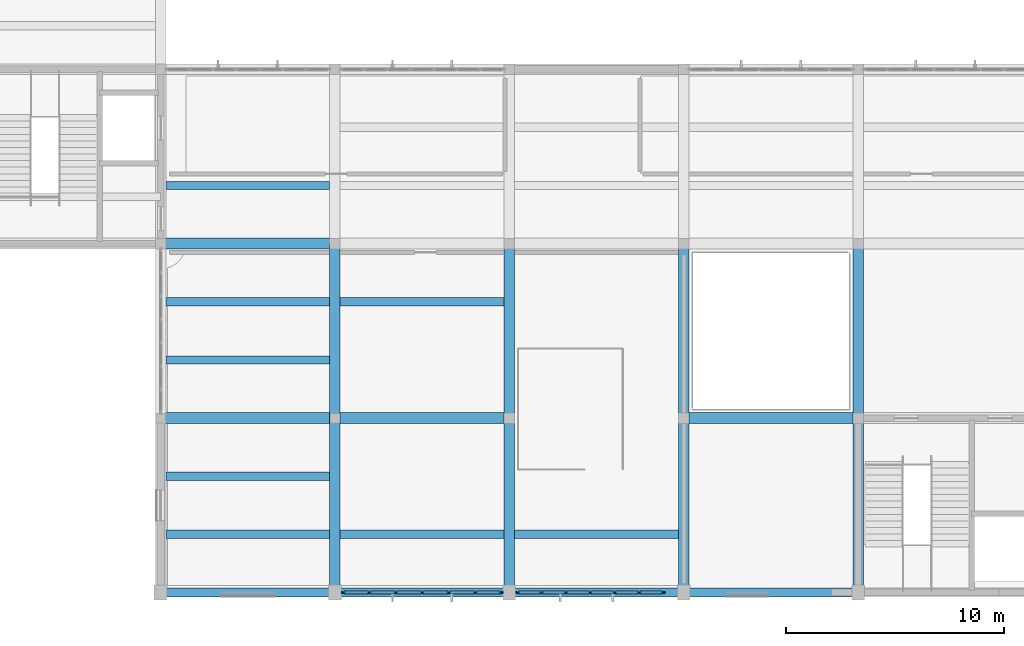
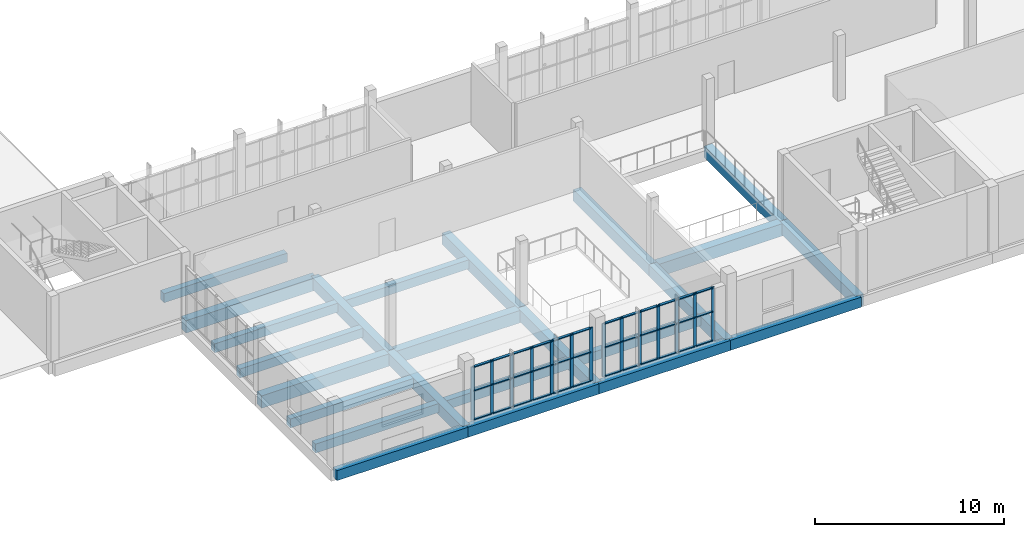
# One storey, part 15 of 70: 50 members, 24 beams, 2 elements without a shape of their own.
"""IFC4 building model written with IfcOpenShell, lengths in metres."""

from ifc_helpers import new_model, si_unit, direction, frame, origin, origin_2d, place, context, subcontext, project, spatial, rectangle, extrude, material, layer, layer_set, material_profile, profile_set, type_object, element, aggregate, save


model = new_model("IFC4")

# Units and contexts
model_context = context("Model", 3, precision=1e-05, world=origin(), true_north=direction((0.0, 1.0)))
body_context = subcontext(model_context, "Body", "Model", "MODEL_VIEW")
ifc_project = project(units=[si_unit("LENGTHUNIT", "METRE"), si_unit("AREAUNIT", "SQUARE_METRE"), si_unit("VOLUMEUNIT", "CUBIC_METRE"), si_unit("PLANEANGLEUNIT", "RADIAN"), si_unit("MASSUNIT", "GRAM", prefix="KILO")], contexts=[model_context])

# Site, building, storey
site_placement = place(None, origin())
site = spatial("IfcSite", under=ifc_project, at=site_placement, CompositionType="ELEMENT")
building_placement = place(site_placement, origin())
building = spatial("IfcBuilding", under=site, at=building_placement, Name="Solvane Community Centre", CompositionType="ELEMENT")
storey_placement = place(building_placement, frame((0.0, 0.0, 9.60009765625)))
storey = spatial("IfcBuildingStorey", under=building, at=storey_placement, Name="L02", CompositionType="ELEMENT", Elevation=9.60009765625)

# Curtain wall, members
ifc_material_1 = material(Name="Anodised bronze aluminium AW-6063 T6", Category="aluminium")
ifc_layer_1 = layer(ifc_material_1, 0.18994140625)
ifc_layer_set_1 = layer_set([ifc_layer_1], Name="Anodised bronze aluminium AW-6063 T6")
curtain_wall_type_1 = type_object("IfcCurtainWallType", Name="Boulevard Bronze Vision Curtain Wall [67x34dm]", PredefinedType="NOTDEFINED", material=ifc_layer_set_1)
curtain_wall_1_placement = place(storey_placement, origin())
curtain_wall_1 = element("IfcCurtainWall", 1, at=curtain_wall_1_placement, inside=storey, type_object=curtain_wall_type_1, Name="Curtain Wall CW-L02-911_60-189", PredefinedType="NOTDEFINED")
ifc_material_profile_1 = material_profile(ifc_material_1, rectangle(XDim=0.06005859375, YDim=0.18994140625, at=origin_2d()), Name="CW-M 60x190")
ifc_profile_set_1 = profile_set([ifc_material_profile_1], Name="Anodised bronze aluminium AW-6063 T6")
member_type_1 = type_object("IfcMemberType", Name="Boulevard Mullion 60x190", PredefinedType="MULLION", material=ifc_profile_set_1)
member_1_placement = place(storey_placement, frame((91.046875, 6.0, 0.0), z_axis=(0.0, 0.0, 1.0), x_axis=(0.0, -1.0, 0.0)))
member_1 = element("IfcMember", 2, at=member_1_placement, type_object=member_type_1, Name="CW02-67x34 mullion 1", PredefinedType="MULLION", context=body_context, shape_type="SweptSolid", body=[
    extrude(rectangle(XDim=0.06005859375, YDim=0.18994140625, at=origin_2d()), origin(), (0.0, 0.0, 1.0), 3.44482421875),
])
member_2_placement = place(storey_placement, frame((89.95654296875, 6.0, 0.0), z_axis=(0.0, 0.0, 1.0), x_axis=(0.0, -1.0, 0.0)))
member_2 = element("IfcMember", 3, at=member_2_placement, type_object=member_type_1, Name="CW02-67x34 mullion 2", PredefinedType="MULLION", context=body_context, shape_type="SweptSolid", body=[
    extrude(rectangle(XDim=0.06005859375, YDim=0.18994140625, at=origin_2d()), origin(), (0.0, 0.0, 1.0), 3.44482421875),
])
member_3_placement = place(storey_placement, frame((88.836181640625, 6.0, 0.0), z_axis=(0.0, 0.0, 1.0), x_axis=(0.0, -1.0, 0.0)))
member_3 = element("IfcMember", 4, at=member_3_placement, type_object=member_type_1, Name="CW02-67x34 mullion 3", PredefinedType="MULLION", context=body_context, shape_type="SweptSolid", body=[
    extrude(rectangle(XDim=0.06005859375, YDim=0.18994140625, at=origin_2d()), origin(), (0.0, 0.0, 1.0), 3.44482421875),
])
member_4_placement = place(storey_placement, frame((87.716064453125, 6.0, 0.0), z_axis=(0.0, 0.0, 1.0), x_axis=(0.0, -1.0, 0.0)))
member_4 = element("IfcMember", 5, at=member_4_placement, type_object=member_type_1, Name="CW02-67x34 mullion 4", PredefinedType="MULLION", context=body_context, shape_type="SweptSolid", body=[
    extrude(rectangle(XDim=0.06005859375, YDim=0.18994140625, at=origin_2d()), origin(), (0.0, 0.0, 1.0), 3.44482421875),
])
member_5_placement = place(storey_placement, frame((86.595703125, 6.0, 0.0), z_axis=(0.0, 0.0, 1.0), x_axis=(0.0, -1.0, 0.0)))
member_5 = element("IfcMember", 6, at=member_5_placement, type_object=member_type_1, Name="CW02-67x34 mullion 5", PredefinedType="MULLION", context=body_context, shape_type="SweptSolid", body=[
    extrude(rectangle(XDim=0.06005859375, YDim=0.18994140625, at=origin_2d()), origin(), (0.0, 0.0, 1.0), 3.44482421875),
])
member_6_placement = place(storey_placement, frame((85.475341796875, 6.0, 0.0), z_axis=(0.0, 0.0, 1.0), x_axis=(0.0, -1.0, 0.0)))
member_6 = element("IfcMember", 7, at=member_6_placement, type_object=member_type_1, Name="CW02-67x34 mullion 6", PredefinedType="MULLION", context=body_context, shape_type="SweptSolid", body=[
    extrude(rectangle(XDim=0.06005859375, YDim=0.18994140625, at=origin_2d()), origin(), (0.0, 0.0, 1.0), 3.44482421875),
])
member_7_placement = place(storey_placement, frame((84.385009765625, 6.0, 0.0), z_axis=(0.0, 0.0, 1.0), x_axis=(0.0, -1.0, 0.0)))
member_7 = element("IfcMember", 8, at=member_7_placement, type_object=member_type_1, Name="CW02-67x34 mullion 7", PredefinedType="MULLION", context=body_context, shape_type="SweptSolid", body=[
    extrude(rectangle(XDim=0.06005859375, YDim=0.18994140625, at=origin_2d()), origin(), (0.0, 0.0, 1.0), 3.44482421875),
])

ifc_layer_2 = layer(ifc_material_1, 0.18994140625)
ifc_layer_set_2 = layer_set([ifc_layer_2], Name="Anodised bronze aluminium AW-6063 T6")
curtain_wall_type_2 = type_object("IfcCurtainWallType", Name="Boulevard Bronze Vision Curtain Wall [73x34dm]", PredefinedType="NOTDEFINED", material=ifc_layer_set_2)
curtain_wall_2_placement = place(storey_placement, origin())
curtain_wall_2 = element("IfcCurtainWall", 9, at=curtain_wall_2_placement, inside=storey, type_object=curtain_wall_type_2, Name="Curtain Wall CW-L02-836_60-190", PredefinedType="NOTDEFINED")
member_8_placement = place(storey_placement, frame((83.614990234375, 6.0, 0.0), z_axis=(0.0, 0.0, 1.0), x_axis=(0.0, -1.0, 0.0)))
member_8 = element("IfcMember", 10, at=member_8_placement, type_object=member_type_1, Name="CW02-73x34 mullion 1", PredefinedType="MULLION", context=body_context, shape_type="SweptSolid", body=[
    extrude(rectangle(XDim=0.06005859375, YDim=0.18994140625, at=origin_2d()), origin(), (0.0, 0.0, 1.0), 3.44482421875),
])
member_9_placement = place(storey_placement, frame((82.429931640625, 6.0, 0.0), z_axis=(0.0, 0.0, 1.0), x_axis=(0.0, -1.0, 0.0)))
member_9 = element("IfcMember", 11, at=member_9_placement, type_object=member_type_1, Name="CW02-73x34 mullion 2", PredefinedType="MULLION", context=body_context, shape_type="SweptSolid", body=[
    extrude(rectangle(XDim=0.06005859375, YDim=0.18994140625, at=origin_2d()), origin(), (0.0, 0.0, 1.0), 3.44482421875),
])
member_10_placement = place(storey_placement, frame((81.215087890625, 6.0, 0.0), z_axis=(0.0, 0.0, 1.0), x_axis=(0.0, -1.0, 0.0)))
member_10 = element("IfcMember", 12, at=member_10_placement, type_object=member_type_1, Name="CW02-73x34 mullion 3", PredefinedType="MULLION", context=body_context, shape_type="SweptSolid", body=[
    extrude(rectangle(XDim=0.06005859375, YDim=0.18994140625, at=origin_2d()), origin(), (0.0, 0.0, 1.0), 3.44482421875),
])
member_11_placement = place(storey_placement, frame((80.0, 6.0, 0.0), z_axis=(0.0, 0.0, 1.0), x_axis=(0.0, -1.0, 0.0)))
member_11 = element("IfcMember", 13, at=member_11_placement, type_object=member_type_1, Name="CW02-73x34 mullion 4", PredefinedType="MULLION", context=body_context, shape_type="SweptSolid", body=[
    extrude(rectangle(XDim=0.06005859375, YDim=0.18994140625, at=origin_2d()), origin(), (0.0, 0.0, 1.0), 3.44482421875),
])
member_12_placement = place(storey_placement, frame((78.784912109375, 6.0, 0.0), z_axis=(0.0, 0.0, 1.0), x_axis=(0.0, -1.0, 0.0)))
member_12 = element("IfcMember", 14, at=member_12_placement, type_object=member_type_1, Name="CW02-73x34 mullion 5", PredefinedType="MULLION", context=body_context, shape_type="SweptSolid", body=[
    extrude(rectangle(XDim=0.06005859375, YDim=0.18994140625, at=origin_2d()), origin(), (0.0, 0.0, 1.0), 3.44482421875),
])
member_13_placement = place(storey_placement, frame((77.570068359375, 6.0, 0.0), z_axis=(0.0, 0.0, 1.0), x_axis=(0.0, -1.0, 0.0)))
member_13 = element("IfcMember", 15, at=member_13_placement, type_object=member_type_1, Name="CW02-73x34 mullion 6", PredefinedType="MULLION", context=body_context, shape_type="SweptSolid", body=[
    extrude(rectangle(XDim=0.06005859375, YDim=0.18994140625, at=origin_2d()), origin(), (0.0, 0.0, 1.0), 3.44482421875),
])
member_14_placement = place(storey_placement, frame((76.385009765625, 6.0, 0.0), z_axis=(0.0, 0.0, 1.0), x_axis=(0.0, -1.0, 0.0)))
member_14 = element("IfcMember", 16, at=member_14_placement, type_object=member_type_1, Name="CW02-73x34 mullion 7", PredefinedType="MULLION", context=body_context, shape_type="SweptSolid", body=[
    extrude(rectangle(XDim=0.06005859375, YDim=0.18994140625, at=origin_2d()), origin(), (0.0, 0.0, 1.0), 3.44482421875),
])

# Member
ifc_material_profile_2 = material_profile(ifc_material_1, rectangle(XDim=0.14990234375, YDim=0.06005859375, at=origin_2d()), Name="CW-T 60x150")
ifc_profile_set_2 = profile_set([ifc_material_profile_2], Name="Anodised bronze aluminium AW-6063 T6")
member_type_2 = type_object("IfcMemberType", Name="Boulevard Transom 60x150", PredefinedType="USERDEFINED", material=ifc_profile_set_2)
member_15_placement = place(storey_placement, frame((91.016845703125, 6.0, 0.02978515625), z_axis=(-1.0, 0.0, 0.0), x_axis=(0.0, -1.0, 0.0)))
member_15 = element("IfcMember", 17, at=member_15_placement, type_object=member_type_2, Name="CW02-67x34 transom 1.1", ObjectType="TRANSOM", PredefinedType="USERDEFINED", context=body_context, shape_type="SweptSolid", body=[
    extrude(rectangle(XDim=0.14990234375, YDim=0.06005859375, at=origin_2d()), origin(), (0.0, 0.0, 1.0), 1.0302734375),
])

member_16_placement = place(storey_placement, frame((91.016845703125, 6.0, 1.89501953125), z_axis=(-1.0, 0.0, 0.0), x_axis=(0.0, -1.0, 0.0)))
member_16 = element("IfcMember", 18, at=member_16_placement, type_object=member_type_2, Name="CW02-67x34 transom 1.2", ObjectType="TRANSOM", PredefinedType="USERDEFINED", context=body_context, shape_type="SweptSolid", body=[
    extrude(rectangle(XDim=0.14990234375, YDim=0.06005859375, at=origin_2d()), origin(), (0.0, 0.0, 1.0), 1.0302734375),
])

member_17_placement = place(storey_placement, frame((91.016845703125, 6.0, 3.414794921875), z_axis=(-1.0, 0.0, 0.0), x_axis=(0.0, -1.0, 0.0)))
member_17 = element("IfcMember", 19, at=member_17_placement, type_object=member_type_2, Name="CW02-67x34 transom 1.3", ObjectType="TRANSOM", PredefinedType="USERDEFINED", context=body_context, shape_type="SweptSolid", body=[
    extrude(rectangle(XDim=0.14990234375, YDim=0.06005859375, at=origin_2d()), origin(), (0.0, 0.0, 1.0), 1.0302734375),
])

member_18_placement = place(storey_placement, frame((89.926513671875, 6.0, 0.02978515625), z_axis=(-1.0, 0.0, 0.0), x_axis=(0.0, -1.0, 0.0)))
member_18 = element("IfcMember", 20, at=member_18_placement, type_object=member_type_2, Name="CW02-67x34 transom 2.1", ObjectType="TRANSOM", PredefinedType="USERDEFINED", context=body_context, shape_type="SweptSolid", body=[
    extrude(rectangle(XDim=0.14990234375, YDim=0.06005859375, at=origin_2d()), origin(), (0.0, 0.0, 1.0), 1.060302734375),
])

member_19_placement = place(storey_placement, frame((89.926513671875, 6.0, 1.89501953125), z_axis=(-1.0, 0.0, 0.0), x_axis=(0.0, -1.0, 0.0)))
member_19 = element("IfcMember", 21, at=member_19_placement, type_object=member_type_2, Name="CW02-67x34 transom 2.2", ObjectType="TRANSOM", PredefinedType="USERDEFINED", context=body_context, shape_type="SweptSolid", body=[
    extrude(rectangle(XDim=0.14990234375, YDim=0.06005859375, at=origin_2d()), origin(), (0.0, 0.0, 1.0), 1.060302734375),
])

member_20_placement = place(storey_placement, frame((89.926513671875, 6.0, 3.414794921875), z_axis=(-1.0, 0.0, 0.0), x_axis=(0.0, -1.0, 0.0)))
member_20 = element("IfcMember", 22, at=member_20_placement, type_object=member_type_2, Name="CW02-67x34 transom 2.3", ObjectType="TRANSOM", PredefinedType="USERDEFINED", context=body_context, shape_type="SweptSolid", body=[
    extrude(rectangle(XDim=0.14990234375, YDim=0.06005859375, at=origin_2d()), origin(), (0.0, 0.0, 1.0), 1.060302734375),
])

member_21_placement = place(storey_placement, frame((88.80615234375, 6.0, 0.02978515625), z_axis=(-1.0, 0.0, 0.0), x_axis=(0.0, -1.0, 0.0)))
member_21 = element("IfcMember", 23, at=member_21_placement, type_object=member_type_2, Name="CW02-67x34 transom 3.1", ObjectType="TRANSOM", PredefinedType="USERDEFINED", context=body_context, shape_type="SweptSolid", body=[
    extrude(rectangle(XDim=0.14990234375, YDim=0.06005859375, at=origin_2d()), origin(), (0.0, 0.0, 1.0), 1.060302734375),
])

member_22_placement = place(storey_placement, frame((88.80615234375, 6.0, 1.89501953125), z_axis=(-1.0, 0.0, 0.0), x_axis=(0.0, -1.0, 0.0)))
member_22 = element("IfcMember", 24, at=member_22_placement, type_object=member_type_2, Name="CW02-67x34 transom 3.2", ObjectType="TRANSOM", PredefinedType="USERDEFINED", context=body_context, shape_type="SweptSolid", body=[
    extrude(rectangle(XDim=0.14990234375, YDim=0.06005859375, at=origin_2d()), origin(), (0.0, 0.0, 1.0), 1.060302734375),
])

member_23_placement = place(storey_placement, frame((88.80615234375, 6.0, 3.414794921875), z_axis=(-1.0, 0.0, 0.0), x_axis=(0.0, -1.0, 0.0)))
member_23 = element("IfcMember", 25, at=member_23_placement, type_object=member_type_2, Name="CW02-67x34 transom 3.3", ObjectType="TRANSOM", PredefinedType="USERDEFINED", context=body_context, shape_type="SweptSolid", body=[
    extrude(rectangle(XDim=0.14990234375, YDim=0.06005859375, at=origin_2d()), origin(), (0.0, 0.0, 1.0), 1.060302734375),
])

member_24_placement = place(storey_placement, frame((87.68603515625, 6.0, 0.02978515625), z_axis=(-1.0, 0.0, 0.0), x_axis=(0.0, -1.0, 0.0)))
member_24 = element("IfcMember", 26, at=member_24_placement, type_object=member_type_2, Name="CW02-67x34 transom 4.1", ObjectType="TRANSOM", PredefinedType="USERDEFINED", context=body_context, shape_type="SweptSolid", body=[
    extrude(rectangle(XDim=0.14990234375, YDim=0.06005859375, at=origin_2d()), origin(), (0.0, 0.0, 1.0), 1.060302734375),
])

member_25_placement = place(storey_placement, frame((87.68603515625, 6.0, 1.89501953125), z_axis=(-1.0, 0.0, 0.0), x_axis=(0.0, -1.0, 0.0)))
member_25 = element("IfcMember", 27, at=member_25_placement, type_object=member_type_2, Name="CW02-67x34 transom 4.2", ObjectType="TRANSOM", PredefinedType="USERDEFINED", context=body_context, shape_type="SweptSolid", body=[
    extrude(rectangle(XDim=0.14990234375, YDim=0.06005859375, at=origin_2d()), origin(), (0.0, 0.0, 1.0), 1.060302734375),
])

member_26_placement = place(storey_placement, frame((87.68603515625, 6.0, 3.414794921875), z_axis=(-1.0, 0.0, 0.0), x_axis=(0.0, -1.0, 0.0)))
member_26 = element("IfcMember", 28, at=member_26_placement, type_object=member_type_2, Name="CW02-67x34 transom 4.3", ObjectType="TRANSOM", PredefinedType="USERDEFINED", context=body_context, shape_type="SweptSolid", body=[
    extrude(rectangle(XDim=0.14990234375, YDim=0.06005859375, at=origin_2d()), origin(), (0.0, 0.0, 1.0), 1.060302734375),
])

member_27_placement = place(storey_placement, frame((86.565673828125, 6.0, 0.02978515625), z_axis=(-1.0, 0.0, 0.0), x_axis=(0.0, -1.0, 0.0)))
member_27 = element("IfcMember", 29, at=member_27_placement, type_object=member_type_2, Name="CW02-67x34 transom 5.1", ObjectType="TRANSOM", PredefinedType="USERDEFINED", context=body_context, shape_type="SweptSolid", body=[
    extrude(rectangle(XDim=0.14990234375, YDim=0.06005859375, at=origin_2d()), origin(), (0.0, 0.0, 1.0), 1.060302734375),
])

member_28_placement = place(storey_placement, frame((86.565673828125, 6.0, 1.89501953125), z_axis=(-1.0, 0.0, 0.0), x_axis=(0.0, -1.0, 0.0)))
member_28 = element("IfcMember", 30, at=member_28_placement, type_object=member_type_2, Name="CW02-67x34 transom 5.2", ObjectType="TRANSOM", PredefinedType="USERDEFINED", context=body_context, shape_type="SweptSolid", body=[
    extrude(rectangle(XDim=0.14990234375, YDim=0.06005859375, at=origin_2d()), origin(), (0.0, 0.0, 1.0), 1.060302734375),
])

member_29_placement = place(storey_placement, frame((86.565673828125, 6.0, 3.414794921875), z_axis=(-1.0, 0.0, 0.0), x_axis=(0.0, -1.0, 0.0)))
member_29 = element("IfcMember", 31, at=member_29_placement, type_object=member_type_2, Name="CW02-67x34 transom 5.3", ObjectType="TRANSOM", PredefinedType="USERDEFINED", context=body_context, shape_type="SweptSolid", body=[
    extrude(rectangle(XDim=0.14990234375, YDim=0.06005859375, at=origin_2d()), origin(), (0.0, 0.0, 1.0), 1.060302734375),
])

member_30_placement = place(storey_placement, frame((85.4453125, 6.0, 0.02978515625), z_axis=(-1.0, 0.0, 0.0), x_axis=(0.0, -1.0, 0.0)))
member_30 = element("IfcMember", 32, at=member_30_placement, type_object=member_type_2, Name="CW02-67x34 transom 6.1", ObjectType="TRANSOM", PredefinedType="USERDEFINED", context=body_context, shape_type="SweptSolid", body=[
    extrude(rectangle(XDim=0.14990234375, YDim=0.06005859375, at=origin_2d()), origin(), (0.0, 0.0, 1.0), 1.0302734375),
])

member_31_placement = place(storey_placement, frame((85.4453125, 6.0, 1.89501953125), z_axis=(-1.0, 0.0, 0.0), x_axis=(0.0, -1.0, 0.0)))
member_31 = element("IfcMember", 33, at=member_31_placement, type_object=member_type_2, Name="CW02-67x34 transom 6.2", ObjectType="TRANSOM", PredefinedType="USERDEFINED", context=body_context, shape_type="SweptSolid", body=[
    extrude(rectangle(XDim=0.14990234375, YDim=0.06005859375, at=origin_2d()), origin(), (0.0, 0.0, 1.0), 1.0302734375),
])

member_32_placement = place(storey_placement, frame((85.4453125, 6.0, 3.414794921875), z_axis=(-1.0, 0.0, 0.0), x_axis=(0.0, -1.0, 0.0)))
member_32 = element("IfcMember", 34, at=member_32_placement, type_object=member_type_2, Name="CW02-67x34 transom 6.3", ObjectType="TRANSOM", PredefinedType="USERDEFINED", context=body_context, shape_type="SweptSolid", body=[
    extrude(rectangle(XDim=0.14990234375, YDim=0.06005859375, at=origin_2d()), origin(), (0.0, 0.0, 1.0), 1.0302734375),
])

aggregate(curtain_wall_1, [member_1, member_2, member_3, member_4, member_5, member_6, member_7, member_15, member_16, member_17, member_18, member_19, member_20, member_21, member_22, member_23, member_24, member_25, member_26, member_27, member_28, member_29, member_30, member_31, member_32])

member_33_placement = place(storey_placement, frame((83.5849609375, 6.0, 0.02978515625), z_axis=(-1.0, 0.0, 0.0), x_axis=(0.0, -1.0, 0.0)))
member_33 = element("IfcMember", 35, at=member_33_placement, type_object=member_type_2, Name="CW02-73x34 transom 1.1", ObjectType="TRANSOM", PredefinedType="USERDEFINED", context=body_context, shape_type="SweptSolid", body=[
    extrude(rectangle(XDim=0.14990234375, YDim=0.06005859375, at=origin_2d()), origin(), (0.0, 0.0, 1.0), 1.125),
])

member_34_placement = place(storey_placement, frame((83.5849609375, 6.0, 1.89501953125), z_axis=(-1.0, 0.0, 0.0), x_axis=(0.0, -1.0, 0.0)))
member_34 = element("IfcMember", 36, at=member_34_placement, type_object=member_type_2, Name="CW02-73x34 transom 1.2", ObjectType="TRANSOM", PredefinedType="USERDEFINED", context=body_context, shape_type="SweptSolid", body=[
    extrude(rectangle(XDim=0.14990234375, YDim=0.06005859375, at=origin_2d()), origin(), (0.0, 0.0, 1.0), 1.125),
])

member_35_placement = place(storey_placement, frame((83.5849609375, 6.0, 3.414794921875), z_axis=(-1.0, 0.0, 0.0), x_axis=(0.0, -1.0, 0.0)))
member_35 = element("IfcMember", 37, at=member_35_placement, type_object=member_type_2, Name="CW02-73x34 transom 1.3", ObjectType="TRANSOM", PredefinedType="USERDEFINED", context=body_context, shape_type="SweptSolid", body=[
    extrude(rectangle(XDim=0.14990234375, YDim=0.06005859375, at=origin_2d()), origin(), (0.0, 0.0, 1.0), 1.125),
])

member_36_placement = place(storey_placement, frame((82.39990234375, 6.0, 0.02978515625), z_axis=(-1.0, 0.0, 0.0), x_axis=(0.0, -1.0, 0.0)))
member_36 = element("IfcMember", 38, at=member_36_placement, type_object=member_type_2, Name="CW02-73x34 transom 2.1", ObjectType="TRANSOM", PredefinedType="USERDEFINED", context=body_context, shape_type="SweptSolid", body=[
    extrude(rectangle(XDim=0.14990234375, YDim=0.06005859375, at=origin_2d()), origin(), (0.0, 0.0, 1.0), 1.15478515625),
])

member_37_placement = place(storey_placement, frame((82.39990234375, 6.0, 1.89501953125), z_axis=(-1.0, 0.0, 0.0), x_axis=(0.0, -1.0, 0.0)))
member_37 = element("IfcMember", 39, at=member_37_placement, type_object=member_type_2, Name="CW02-73x34 transom 2.2", ObjectType="TRANSOM", PredefinedType="USERDEFINED", context=body_context, shape_type="SweptSolid", body=[
    extrude(rectangle(XDim=0.14990234375, YDim=0.06005859375, at=origin_2d()), origin(), (0.0, 0.0, 1.0), 1.15478515625),
])

member_38_placement = place(storey_placement, frame((82.39990234375, 6.0, 3.414794921875), z_axis=(-1.0, 0.0, 0.0), x_axis=(0.0, -1.0, 0.0)))
member_38 = element("IfcMember", 40, at=member_38_placement, type_object=member_type_2, Name="CW02-73x34 transom 2.3", ObjectType="TRANSOM", PredefinedType="USERDEFINED", context=body_context, shape_type="SweptSolid", body=[
    extrude(rectangle(XDim=0.14990234375, YDim=0.06005859375, at=origin_2d()), origin(), (0.0, 0.0, 1.0), 1.15478515625),
])

member_39_placement = place(storey_placement, frame((81.18505859375, 6.0, 0.02978515625), z_axis=(-1.0, 0.0, 0.0), x_axis=(0.0, -1.0, 0.0)))
member_39 = element("IfcMember", 41, at=member_39_placement, type_object=member_type_2, Name="CW02-73x34 transom 3.1", ObjectType="TRANSOM", PredefinedType="USERDEFINED", context=body_context, shape_type="SweptSolid", body=[
    extrude(rectangle(XDim=0.14990234375, YDim=0.06005859375, at=origin_2d()), origin(), (0.0, 0.0, 1.0), 1.155029296875),
])

member_40_placement = place(storey_placement, frame((81.18505859375, 6.0, 1.89501953125), z_axis=(-1.0, 0.0, 0.0), x_axis=(0.0, -1.0, 0.0)))
member_40 = element("IfcMember", 42, at=member_40_placement, type_object=member_type_2, Name="CW02-73x34 transom 3.2", ObjectType="TRANSOM", PredefinedType="USERDEFINED", context=body_context, shape_type="SweptSolid", body=[
    extrude(rectangle(XDim=0.14990234375, YDim=0.06005859375, at=origin_2d()), origin(), (0.0, 0.0, 1.0), 1.155029296875),
])

member_41_placement = place(storey_placement, frame((81.18505859375, 6.0, 3.414794921875), z_axis=(-1.0, 0.0, 0.0), x_axis=(0.0, -1.0, 0.0)))
member_41 = element("IfcMember", 43, at=member_41_placement, type_object=member_type_2, Name="CW02-73x34 transom 3.3", ObjectType="TRANSOM", PredefinedType="USERDEFINED", context=body_context, shape_type="SweptSolid", body=[
    extrude(rectangle(XDim=0.14990234375, YDim=0.06005859375, at=origin_2d()), origin(), (0.0, 0.0, 1.0), 1.155029296875),
])

member_42_placement = place(storey_placement, frame((79.969970703125, 6.0, 0.02978515625), z_axis=(-1.0, 0.0, 0.0), x_axis=(0.0, -1.0, 0.0)))
member_42 = element("IfcMember", 44, at=member_42_placement, type_object=member_type_2, Name="CW02-73x34 transom 4.1", ObjectType="TRANSOM", PredefinedType="USERDEFINED", context=body_context, shape_type="SweptSolid", body=[
    extrude(rectangle(XDim=0.14990234375, YDim=0.06005859375, at=origin_2d()), origin(), (0.0, 0.0, 1.0), 1.155029296875),
])

member_43_placement = place(storey_placement, frame((79.969970703125, 6.0, 1.89501953125), z_axis=(-1.0, 0.0, 0.0), x_axis=(0.0, -1.0, 0.0)))
member_43 = element("IfcMember", 45, at=member_43_placement, type_object=member_type_2, Name="CW02-73x34 transom 4.2", ObjectType="TRANSOM", PredefinedType="USERDEFINED", context=body_context, shape_type="SweptSolid", body=[
    extrude(rectangle(XDim=0.14990234375, YDim=0.06005859375, at=origin_2d()), origin(), (0.0, 0.0, 1.0), 1.155029296875),
])

member_44_placement = place(storey_placement, frame((79.969970703125, 6.0, 3.414794921875), z_axis=(-1.0, 0.0, 0.0), x_axis=(0.0, -1.0, 0.0)))
member_44 = element("IfcMember", 46, at=member_44_placement, type_object=member_type_2, Name="CW02-73x34 transom 4.3", ObjectType="TRANSOM", PredefinedType="USERDEFINED", context=body_context, shape_type="SweptSolid", body=[
    extrude(rectangle(XDim=0.14990234375, YDim=0.06005859375, at=origin_2d()), origin(), (0.0, 0.0, 1.0), 1.155029296875),
])

member_45_placement = place(storey_placement, frame((78.7548828125, 6.0, 0.02978515625), z_axis=(-1.0, 0.0, 0.0), x_axis=(0.0, -1.0, 0.0)))
member_45 = element("IfcMember", 47, at=member_45_placement, type_object=member_type_2, Name="CW02-73x34 transom 5.1", ObjectType="TRANSOM", PredefinedType="USERDEFINED", context=body_context, shape_type="SweptSolid", body=[
    extrude(rectangle(XDim=0.14990234375, YDim=0.06005859375, at=origin_2d()), origin(), (0.0, 0.0, 1.0), 1.15478515625),
])

member_46_placement = place(storey_placement, frame((78.7548828125, 6.0, 1.89501953125), z_axis=(-1.0, 0.0, 0.0), x_axis=(0.0, -1.0, 0.0)))
member_46 = element("IfcMember", 48, at=member_46_placement, type_object=member_type_2, Name="CW02-73x34 transom 5.2", ObjectType="TRANSOM", PredefinedType="USERDEFINED", context=body_context, shape_type="SweptSolid", body=[
    extrude(rectangle(XDim=0.14990234375, YDim=0.06005859375, at=origin_2d()), origin(), (0.0, 0.0, 1.0), 1.15478515625),
])

member_47_placement = place(storey_placement, frame((78.7548828125, 6.0, 3.414794921875), z_axis=(-1.0, 0.0, 0.0), x_axis=(0.0, -1.0, 0.0)))
member_47 = element("IfcMember", 49, at=member_47_placement, type_object=member_type_2, Name="CW02-73x34 transom 5.3", ObjectType="TRANSOM", PredefinedType="USERDEFINED", context=body_context, shape_type="SweptSolid", body=[
    extrude(rectangle(XDim=0.14990234375, YDim=0.06005859375, at=origin_2d()), origin(), (0.0, 0.0, 1.0), 1.15478515625),
])

member_48_placement = place(storey_placement, frame((77.5400390625, 6.0, 0.02978515625), z_axis=(-1.0, 0.0, 0.0), x_axis=(0.0, -1.0, 0.0)))
member_48 = element("IfcMember", 50, at=member_48_placement, type_object=member_type_2, Name="CW02-73x34 transom 6.1", ObjectType="TRANSOM", PredefinedType="USERDEFINED", context=body_context, shape_type="SweptSolid", body=[
    extrude(rectangle(XDim=0.14990234375, YDim=0.06005859375, at=origin_2d()), origin(), (0.0, 0.0, 1.0), 1.125),
])

member_49_placement = place(storey_placement, frame((77.5400390625, 6.0, 1.89501953125), z_axis=(-1.0, 0.0, 0.0), x_axis=(0.0, -1.0, 0.0)))
member_49 = element("IfcMember", 51, at=member_49_placement, type_object=member_type_2, Name="CW02-73x34 transom 6.2", ObjectType="TRANSOM", PredefinedType="USERDEFINED", context=body_context, shape_type="SweptSolid", body=[
    extrude(rectangle(XDim=0.14990234375, YDim=0.06005859375, at=origin_2d()), origin(), (0.0, 0.0, 1.0), 1.125),
])

member_50_placement = place(storey_placement, frame((77.5400390625, 6.0, 3.414794921875), z_axis=(-1.0, 0.0, 0.0), x_axis=(0.0, -1.0, 0.0)))
member_50 = element("IfcMember", 52, at=member_50_placement, type_object=member_type_2, Name="CW02-73x34 transom 6.3", ObjectType="TRANSOM", PredefinedType="USERDEFINED", context=body_context, shape_type="SweptSolid", body=[
    extrude(rectangle(XDim=0.14990234375, YDim=0.06005859375, at=origin_2d()), origin(), (0.0, 0.0, 1.0), 1.125),
])

aggregate(curtain_wall_2, [member_8, member_9, member_10, member_11, member_12, member_13, member_14, member_33, member_34, member_35, member_36, member_37, member_38, member_39, member_40, member_41, member_42, member_43, member_44, member_45, member_46, member_47, member_48, member_49, member_50])

# Beams
ifc_material_2 = material(Name="Concrete C35/45", Category="concrete")
ifc_material_profile_3 = material_profile(ifc_material_2, rectangle(XDim=0.47998046875, YDim=0.739990234375, at=origin_2d()), Name="RC 480x740")
ifc_profile_set_3 = profile_set([ifc_material_profile_3], Name="Concrete C35/45")
beam_type_1 = type_object("IfcBeamType", Name="RC Bay Beam 480x740", PredefinedType="BEAM", material=ifc_profile_set_3)
for number, where, z_axis, x_axis, name in (
    (53, (76.0, 6.0, -0.590087890625), (0.0, 1.0, 0.0), (-1.0, 0.0, 0.0), "Beam BM-L02-760_60-760_140"),
    (54, (76.0, 14.0, -0.590087890625), (0.0, 1.0, 0.0), (-1.0, 0.0, 0.0), "Beam BM-L02-760_140-760_220"),
    (55, (84.0, 6.0, -0.590087890625), (0.0, 1.0, 0.0), (-1.0, 0.0, 0.0), "Beam BM-L02-840_60-840_140"),
    (56, (84.0, 14.0, -0.590087890625), (0.0, 1.0, 0.0), (-1.0, 0.0, 0.0), "Beam BM-L02-840_140-840_220"),
    (57, (92.0, 6.0, -0.590087890625), (0.0, 1.0, 0.0), (-1.0, 0.0, 0.0), "Beam BM-L02-920_60-920_140"),
    (58, (92.0, 14.0, -0.590087890625), (0.0, 1.0, 0.0), (-1.0, 0.0, 0.0), "Beam BM-L02-920_140-920_220"),
    (59, (100.0, 6.0, -0.590087890625), (0.0, 1.0, 0.0), (-1.0, 0.0, 0.0), "Beam BM-L02-1000_60-1000_140"),
    (60, (100.0, 14.0, -0.590087890625), (0.0, 1.0, 0.0), (-1.0, 0.0, 0.0), "Beam BM-L02-1000_140-1000_220"),
):
    element("IfcBeam", number, at=place(storey_placement, frame(where, z_axis=z_axis, x_axis=x_axis)), inside=storey, type_object=beam_type_1, Name=name, PredefinedType="BEAM", context=body_context, shape_type="SweptSolid", body=[
        extrude(rectangle(XDim=0.47998046875, YDim=0.739990234375, at=origin_2d()), origin(), (0.0, 0.0, 1.0), 8.0),
    ])
ifc_material_profile_4 = material_profile(ifc_material_2, rectangle(XDim=0.5, YDim=0.800048828125, at=origin_2d()), Name="RC 500x800")
ifc_profile_set_4 = profile_set([ifc_material_profile_4], Name="Concrete C35/45")
beam_type_2 = type_object("IfcBeamType", Name="RC Primary Girder 500x800", PredefinedType="USERDEFINED", material=ifc_profile_set_4)
for number, where, z_axis, x_axis, name in (
    (61, (68.0, 14.0, -0.6201171875), (1.0, 0.0, 0.0), (0.0, 1.0, 0.0), "Beam BM-L02-680_140-760_140"),
    (62, (76.0, 14.0, -0.6201171875), (1.0, 0.0, 0.0), (0.0, 1.0, 0.0), "Beam BM-L02-760_140-840_140"),
    (63, (92.0, 14.0, -0.6201171875), (1.0, 0.0, 0.0), (0.0, 1.0, 0.0), "Beam BM-L02-920_140-1000_140"),
    (64, (68.0, 22.0, -0.6201171875), (1.0, 0.0, 0.0), (0.0, 1.0, 0.0), "Beam BM-L02-680_220-760_220"),
):
    element("IfcBeam", number, at=place(storey_placement, frame(where, z_axis=z_axis, x_axis=x_axis)), inside=storey, type_object=beam_type_2, Name=name, ObjectType="GIRDER", PredefinedType="USERDEFINED", context=body_context, shape_type="SweptSolid", body=[
        extrude(rectangle(XDim=0.5, YDim=0.800048828125, at=origin_2d()), origin(), (0.0, 0.0, 1.0), 8.0),
    ])
ifc_material_profile_5 = material_profile(ifc_material_2, rectangle(XDim=0.3798828125, YDim=0.580078125, at=origin_2d()), Name="RC 380x580")
ifc_profile_set_5 = profile_set([ifc_material_profile_5], Name="Concrete C35/45")
beam_type_3 = type_object("IfcBeamType", Name="RC Short Joist 380x580", PredefinedType="JOIST", material=ifc_profile_set_5)
for number, where, z_axis, x_axis, name in (
    (65, (68.239990234375, 8.666748046875, -0.510009765625), (1.0, 0.0, 0.0), (0.0, 1.0, 0.0), "Beam BM-L02-682_87-758_87"),
    (66, (68.239990234375, 11.333251953125, -0.510009765625), (1.0, 0.0, 0.0), (0.0, 1.0, 0.0), "Beam BM-L02-682_113-758_113"),
    (67, (68.239990234375, 16.666748046875, -0.510009765625), (1.0, 0.0, 0.0), (0.0, 1.0, 0.0), "Beam BM-L02-682_167-758_167"),
    (68, (68.239990234375, 19.333251953125, -0.510009765625), (1.0, 0.0, 0.0), (0.0, 1.0, 0.0), "Beam BM-L02-682_193-758_193"),
    (69, (68.239990234375, 24.666748046875, -0.510009765625), (1.0, 0.0, 0.0), (0.0, 1.0, 0.0), "Beam BM-L02-682_247-758_247"),
    (70, (76.239990234375, 8.666748046875, -0.510009765625), (1.0, 0.0, 0.0), (0.0, 1.0, 0.0), "Beam BM-L02-762_87-838_87"),
    (71, (76.239990234375, 19.333251953125, -0.510009765625), (1.0, 0.0, 0.0), (0.0, 1.0, 0.0), "Beam BM-L02-762_193-838_193"),
    (72, (84.239990234375, 8.666748046875, -0.510009765625), (1.0, 0.0, 0.0), (0.0, 1.0, 0.0), "Beam BM-L02-842_87-918_87"),
):
    element("IfcBeam", number, at=place(storey_placement, frame(where, z_axis=z_axis, x_axis=x_axis)), inside=storey, type_object=beam_type_3, Name=name, PredefinedType="JOIST", context=body_context, shape_type="SweptSolid", body=[
        extrude(rectangle(XDim=0.3798828125, YDim=0.580078125, at=origin_2d()), origin(), (0.0, 0.0, 1.0), 7.52001953125),
    ])
ifc_material_profile_6 = material_profile(ifc_material_2, rectangle(XDim=0.39990234375, YDim=0.64990234375, at=origin_2d()), Name="RC 400x650")
ifc_profile_set_6 = profile_set([ifc_material_profile_6], Name="Concrete C35/45")
beam_type_4 = type_object("IfcBeamType", Name="RC Spandrel Edge Beam 400x650", PredefinedType="SPANDREL", material=ifc_profile_set_6)
for number, where, z_axis, x_axis, name in (
    (73, (68.0, 6.0, -0.545166015625), (1.0, 0.0, 0.0), (0.0, 1.0, 0.0), "Beam BM-L02-680_60-760_60"),
    (74, (76.0, 6.0, -0.545166015625), (1.0, 0.0, 0.0), (0.0, 1.0, 0.0), "Beam BM-L02-760_60-840_60"),
    (75, (84.0, 6.0, -0.545166015625), (1.0, 0.0, 0.0), (0.0, 1.0, 0.0), "Beam BM-L02-840_60-920_60"),
    (76, (92.0, 6.0, -0.545166015625), (1.0, 0.0, 0.0), (0.0, 1.0, 0.0), "Beam BM-L02-920_60-1000_60"),
):
    element("IfcBeam", number, at=place(storey_placement, frame(where, z_axis=z_axis, x_axis=x_axis)), inside=storey, type_object=beam_type_4, Name=name, PredefinedType="SPANDREL", context=body_context, shape_type="SweptSolid", body=[
        extrude(rectangle(XDim=0.39990234375, YDim=0.64990234375, at=origin_2d()), origin(), (0.0, 0.0, 1.0), 8.0),
    ])

save(model, "model.ifc")
